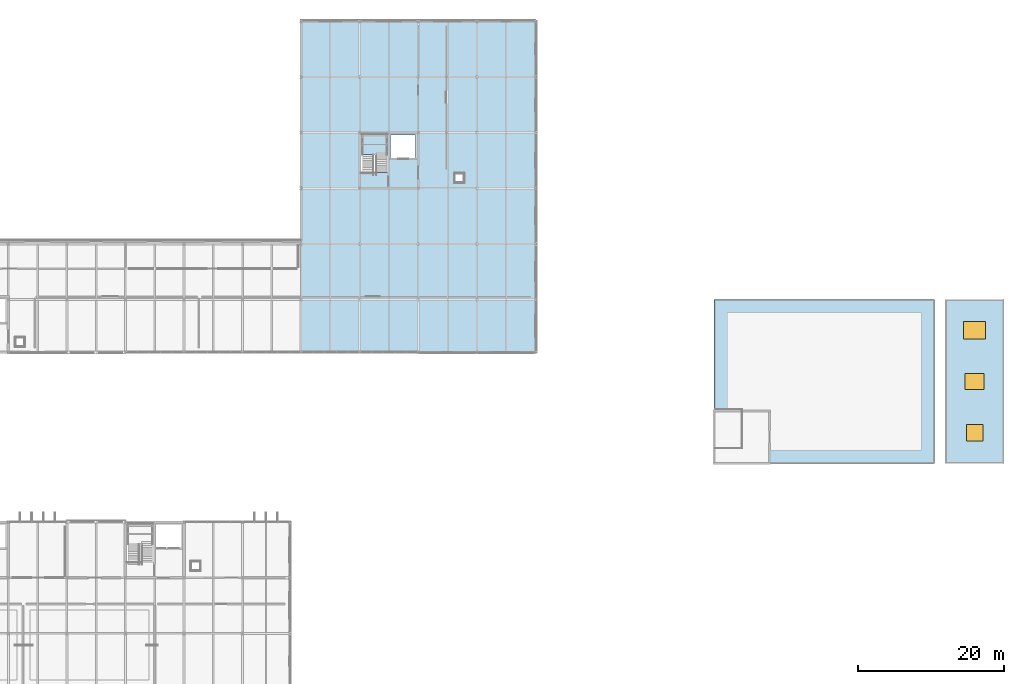
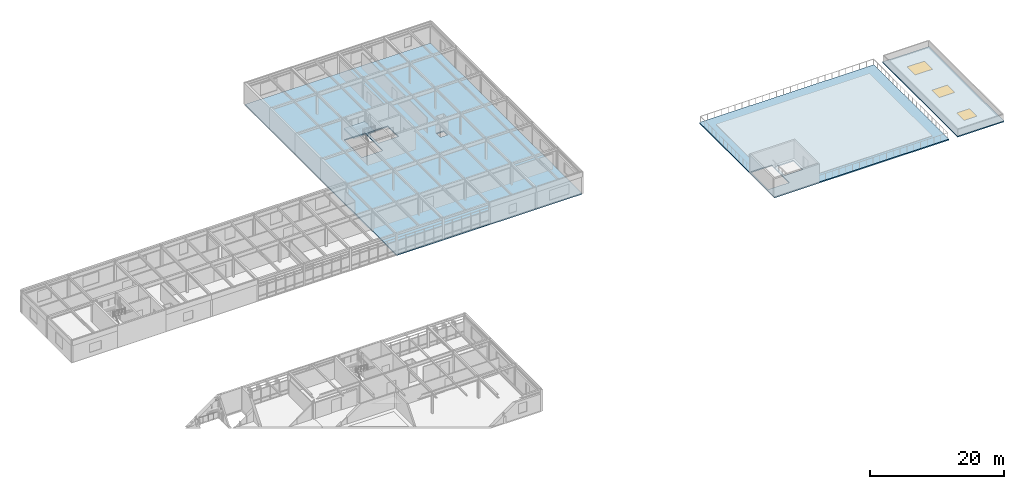
# One storey, part 30 of 45: 4 slabs, 3 windows, 3 openings, 2 elements without a shape of their own.
"""IFC4 building model written with IfcOpenShell, lengths in metres."""

from ifc_helpers import new_model, si_unit, direction, frame, origin, origin_2d, place, context, subcontext, project, spatial, polyline, rectangle, outline, extrude, material, layer, layer_set, type_object, element, fill, aggregate, save


model = new_model("IFC4")

# Units and contexts
model_context = context("Model", 3, precision=1e-05, world=origin(), true_north=direction((0.0, 1.0)))
body_context = subcontext(model_context, "Body", "Model", "MODEL_VIEW")
ifc_project = project(units=[si_unit("LENGTHUNIT", "METRE"), si_unit("AREAUNIT", "SQUARE_METRE"), si_unit("VOLUMEUNIT", "CUBIC_METRE"), si_unit("PLANEANGLEUNIT", "RADIAN"), si_unit("MASSUNIT", "GRAM", prefix="KILO")], contexts=[model_context])

# Site, building, storey
site_placement = place(None, origin())
site = spatial("IfcSite", under=ifc_project, at=site_placement, CompositionType="ELEMENT")
building_placement = place(site_placement, origin())
building = spatial("IfcBuilding", under=site, at=building_placement, Name="Zulena Civic Courthouse", CompositionType="ELEMENT")
storey_placement = place(building_placement, frame((0.0, 0.0, 29.39990234375)))
storey = spatial("IfcBuildingStorey", under=building, at=storey_placement, Name="L06", CompositionType="ELEMENT", Elevation=29.39990234375)

# Roof, slab, openings, windows
ifc_material_1 = material(Name="Insulated standing-seam zinc-aluminium roofing", Category="aluminium")
ifc_layer_1 = layer(ifc_material_1, 0.205078125)
ifc_layer_set_1 = layer_set([ifc_layer_1], Name="Insulated standing-seam zinc-aluminium roofing")
roof_type = type_object("IfcRoofType", Name="FlatRoofAssembly", PredefinedType="FLAT_ROOF", material=ifc_layer_set_1)
roof_placement = place(storey_placement, origin())
roof = element("IfcRoof", 1, at=roof_placement, inside=storey, type_object=roof_type, Name="roof:V3:L06", PredefinedType="FLAT_ROOF")
ifc_material_2 = material(Name="Concrete C35/45", Category="concrete")
ifc_layer_2 = layer(ifc_material_2, 0.205078125)
ifc_layer_set_2 = layer_set([ifc_layer_2], Name="Concrete C35/45")
slab_type_1 = type_object("IfcSlabType", Name="FlatRoofSlab_205", PredefinedType="ROOF", material=ifc_layer_set_2)
slab_1_placement = place(storey_placement, frame((0.0, 0.0, -0.204833984375)))
slab_1 = element("IfcSlab", 2, at=slab_1_placement, type_object=slab_type_1, Name="slab:roof:V3:L06", PredefinedType="ROOF", context=body_context, shape_type="SweptSolid", body=[
    extrude(outline(polyline([(156.0, 30.800048828125), (164.0, 30.800048828125), (164.0, 53.199951171875), (156.0, 53.199951171875), (156.0, 30.800048828125)])), origin(), (0.0, 0.0, 1.0), 0.204833984375),
])
opening_1_placement = place(slab_1_placement, frame((160.0, 35.0, 0.0)))
opening_1 = element("IfcOpeningElement", 3, at=opening_1_placement, cuts=slab_1, Name="Opening SK01", PredefinedType="OPENING", context=body_context, shape_type="SweptSolid", body=[
    extrude(rectangle(XDim=2.199951171875, YDim=2.199951171875, at=origin_2d()), origin(), (0.0, 0.0, 1.0), 0.204833984375),
])
opening_2_placement = place(slab_1_placement, frame((160.0, 42.0, 0.0)))
opening_2 = element("IfcOpeningElement", 4, at=opening_2_placement, cuts=slab_1, Name="Opening SK02", PredefinedType="OPENING", context=body_context, shape_type="SweptSolid", body=[
    extrude(rectangle(XDim=2.60009765625, YDim=2.199951171875, at=origin_2d()), origin(), (0.0, 0.0, 1.0), 0.204833984375),
])
opening_3_placement = place(slab_1_placement, frame((160.0, 49.0, 0.0)))
opening_3 = element("IfcOpeningElement", 5, at=opening_3_placement, cuts=slab_1, Name="Opening SK03", PredefinedType="OPENING", context=body_context, shape_type="SweptSolid", body=[
    extrude(rectangle(XDim=3.0, YDim=2.39990234375, at=origin_2d()), origin(), (0.0, 0.0, 1.0), 0.204833984375),
])
ifc_material_3 = material(Name="Double-silver low-E laminated solar-control glass", Category="glass")
window_type_1 = type_object("IfcWindowType", Name="Skylight_2200x2200", PartitioningType="SINGLE_PANEL", PredefinedType="SKYLIGHT", material=ifc_material_3)
window_1_placement = place(opening_1_placement, frame((0.0, 0.0, 0.15478515625)))
window_1 = element("IfcWindow", 6, at=window_1_placement, inside=storey, type_object=window_type_1, Name="sky:01", OverallHeight=2.199951171875, OverallWidth=2.199951171875, PartitioningType="SINGLE_PANEL", PredefinedType="SKYLIGHT", context=body_context, shape_type="SweptSolid", body=[
    extrude(rectangle(XDim=2.199951171875, YDim=2.199951171875, at=origin_2d()), origin(), (0.0, 0.0, 1.0), 0.050048828125),
])
fill(opening_1, window_1)
window_type_2 = type_object("IfcWindowType", Name="Skylight_2600x2200", PartitioningType="SINGLE_PANEL", PredefinedType="SKYLIGHT", material=ifc_material_3)
window_2_placement = place(opening_2_placement, frame((0.0, 0.0, 0.15478515625)))
window_2 = element("IfcWindow", 7, at=window_2_placement, inside=storey, type_object=window_type_2, Name="sky:02", OverallHeight=2.199951171875, OverallWidth=2.60009765625, PartitioningType="SINGLE_PANEL", PredefinedType="SKYLIGHT", context=body_context, shape_type="SweptSolid", body=[
    extrude(rectangle(XDim=2.60009765625, YDim=2.199951171875, at=origin_2d()), origin(), (0.0, 0.0, 1.0), 0.050048828125),
])
fill(opening_2, window_2)
window_type_3 = type_object("IfcWindowType", Name="Skylight_3000x2400", PartitioningType="SINGLE_PANEL", PredefinedType="SKYLIGHT", material=ifc_material_3)
window_3_placement = place(opening_3_placement, frame((0.0, 0.0, 0.15478515625)))
window_3 = element("IfcWindow", 8, at=window_3_placement, inside=storey, type_object=window_type_3, Name="sky:03", OverallHeight=2.39990234375, OverallWidth=3.0, PartitioningType="SINGLE_PANEL", PredefinedType="SKYLIGHT", context=body_context, shape_type="SweptSolid", body=[
    extrude(rectangle(XDim=3.0, YDim=2.39990234375, at=origin_2d()), origin(), (0.0, 0.0, 1.0), 0.050048828125),
])
fill(opening_3, window_3)
aggregate(roof, [slab_1])

# Slab
ifc_layer_3 = layer(ifc_material_2, 0.205078125)
ifc_layer_set_3 = layer_set([ifc_layer_3], Name="Concrete C35/45")
slab_type_2 = type_object("IfcSlabType", Name="FloorSlab_205", PredefinedType="FLOOR", material=ifc_layer_set_3)
slab_2_placement = place(storey_placement, frame((0.0, 0.0, -0.204833984375)))
element("IfcSlab", 9, at=slab_2_placement, inside=storey, type_object=slab_type_2, Name="slab:V5:L06_2", PredefinedType="FLOOR", context=body_context, shape_type="SweptSolid", body=[
    extrude(outline(polyline([(68.0, 91.199951171875), (100.0, 91.199951171875), (100.0, 46.0), (68.0, 46.0), (68.0, 61.199951171875), (68.0, 91.199951171875)]), holes=[polyline([(79.81005859375, 70.52001953125), (79.81005859375, 75.81005859375), (76.18994140625, 75.81005859375), (76.18994140625, 70.52001953125), (79.81005859375, 70.52001953125)]), polyline([(80.199951171875, 72.5), (83.64990234375, 72.5), (83.64990234375, 75.64990234375), (80.199951171875, 75.64990234375), (80.199951171875, 72.5)]), polyline([(90.199951171875, 70.39990234375), (89.0, 70.39990234375), (89.0, 69.199951171875), (90.199951171875, 69.199951171875), (90.199951171875, 70.39990234375)])]), origin(), (0.0, 0.0, 1.0), 0.204833984375),
])

# Stair, slab
ifc_material_4 = material(Name="Precast concrete C40/50", Category="concrete")
stair_type = type_object("IfcStairType", Name="HalfTurnStair_4200", PredefinedType="HALF_TURN_STAIR", material=ifc_material_4)
stair_placement = place(storey_placement, origin())
stair = element("IfcStair", 10, at=stair_placement, inside=storey, type_object=stair_type, Name="stair:K5B:L06", PredefinedType="HALF_TURN_STAIR")
ifc_layer_4 = layer(ifc_material_4, 0.280029296875)
ifc_layer_set_4 = layer_set([ifc_layer_4], Name="Precast concrete C40/50")
slab_type_3 = type_object("IfcSlabType", Name="StairLandingSlab_280", PredefinedType="LANDING", material=ifc_layer_set_4)
slab_3_placement = place(storey_placement, frame((0.0, 0.0, 1.820068359375)))
slab_3 = element("IfcSlab", 11, at=slab_3_placement, type_object=slab_type_3, Name="stair:K5B:L06:LND", PredefinedType="LANDING", context=body_context, shape_type="SweptSolid", body=[
    extrude(outline(polyline([(76.179931640625, 72.984619140625), (79.820068359375, 72.984619140625), (79.820068359375, 75.820068359375), (76.179931640625, 75.820068359375), (76.179931640625, 72.984619140625)])), origin(), (0.0, 0.0, 1.0), 0.280029296875),
])
aggregate(stair, [slab_3])

# Slab
ifc_layer_5 = layer(ifc_material_2, 0.2099609375)
ifc_layer_set_5 = layer_set([ifc_layer_5], Name="Concrete C35/45")
slab_type_4 = type_object("IfcSlabType", Name="TerraceSlab_210", PredefinedType="FLOOR", material=ifc_layer_set_5)
slab_4_placement = place(storey_placement, frame((0.0, 0.0, -0.2099609375)))
element("IfcSlab", 12, at=slab_4_placement, inside=storey, type_object=slab_type_4, Name="slab:terrace:TR-V3-L06", PredefinedType="FLOOR", context=body_context, shape_type="SweptSolid", body=[
    extrude(outline(polyline([(154.5, 53.199951171875), (154.5, 30.800048828125), (124.39990234375, 30.800048828125), (124.39990234375, 53.199951171875), (154.5, 53.199951171875)]), holes=[polyline([(128.2099609375, 38.2099609375), (124.590087890625, 38.2099609375), (124.590087890625, 32.919921875), (128.2099609375, 32.919921875), (128.2099609375, 38.2099609375)]), polyline([(131.64990234375, 34.89990234375), (131.64990234375, 37.64990234375), (128.60009765625, 37.64990234375), (128.60009765625, 34.89990234375), (131.64990234375, 34.89990234375)])]), origin(), (0.0, 0.0, 1.0), 0.2099609375),
])

save(model, "model.ifc")
